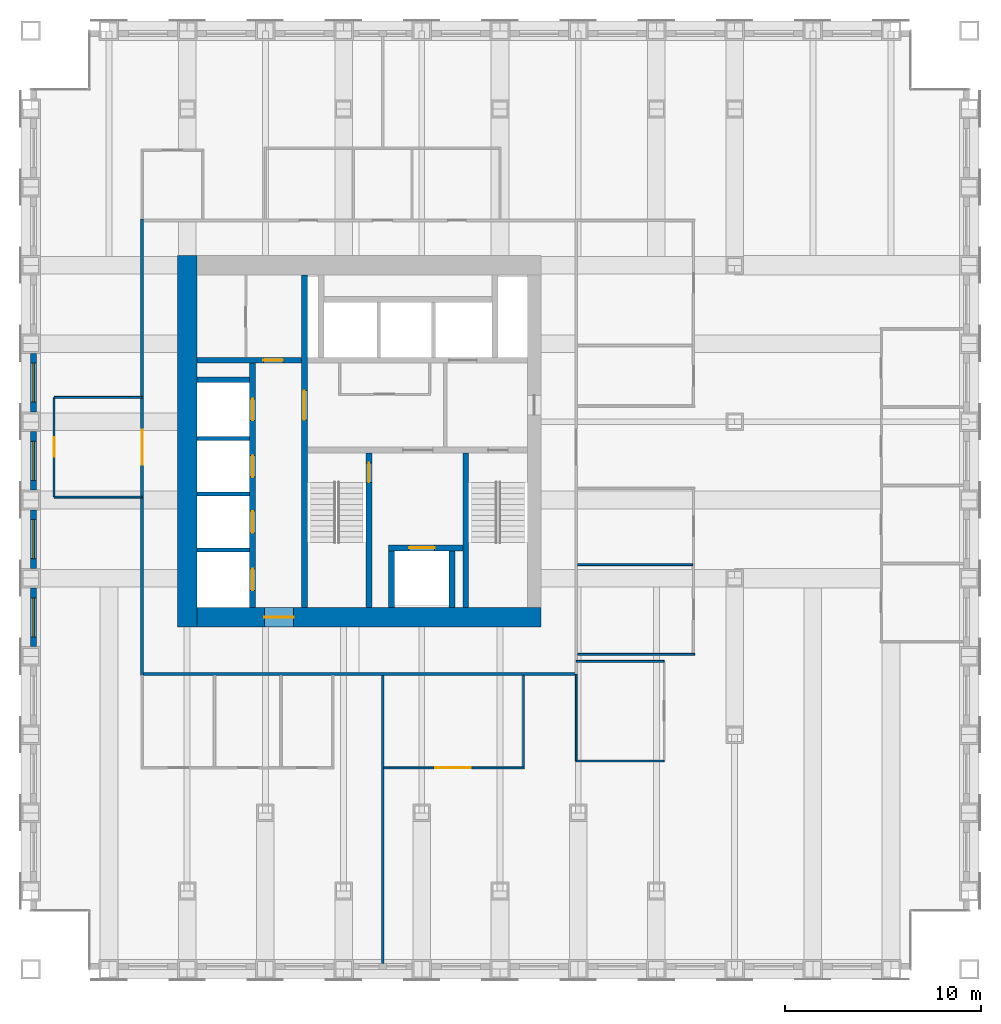
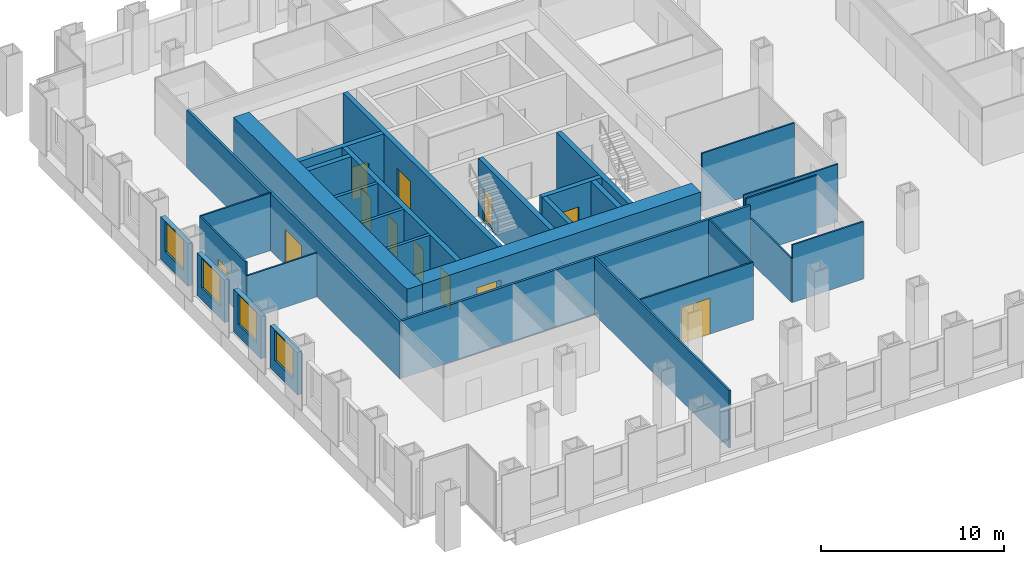
# One storey, part 11 of 16: 31 walls, 12 doors, 4 windows, 16 openings.
"""IFC4 building model written with IfcOpenShell, lengths in metres."""

from ifc_helpers import new_model, si_unit, direction, frame, frame_2d, origin, place, context, subcontext, project, spatial, rectangle, extrude, material, layer, layer_set, type_object, element, fill, save


model = new_model("IFC4")

# Units and contexts
model_context = context("Model", 3, precision=1e-05, world=origin(), true_north=direction((0.0, 1.0)))
body_context = subcontext(model_context, "Body", "Model", "MODEL_VIEW")
ifc_project = project(units=[si_unit("LENGTHUNIT", "METRE"), si_unit("AREAUNIT", "SQUARE_METRE"), si_unit("VOLUMEUNIT", "CUBIC_METRE"), si_unit("PLANEANGLEUNIT", "RADIAN"), si_unit("MASSUNIT", "GRAM", prefix="KILO")], contexts=[model_context])

# Site, building, storey
site_placement = place(None, origin())
site = spatial("IfcSite", under=ifc_project, at=site_placement, CompositionType="ELEMENT")
building_placement = place(site_placement, origin())
building = spatial("IfcBuilding", under=site, at=building_placement, Name="Rimbunsela Tower", CompositionType="ELEMENT")
storey_placement = place(building_placement, frame((0.0, 0.0, 85.39990234375)))
storey = spatial("IfcBuildingStorey", under=building, at=storey_placement, Name="L20", CompositionType="ELEMENT", Elevation=85.39990234375)

# Wall, opening, door
ifc_material_1 = material(Name="Concrete fc' 80 MPa", Category="concrete")
ifc_layer_1 = layer(ifc_material_1, 0.300048828125)
ifc_layer_set_1 = layer_set([ifc_layer_1], Name="Core internal wall 300")
wall_type_1 = type_object("IfcWallType", Name="Core internal wall 300", PredefinedType="SHEAR", material=ifc_layer_set_1)
wall_1_placement = place(storey_placement, frame((24.0, 18.5, -0.14990234375), z_axis=(0.0, 0.0, 1.0), x_axis=(0.0, 1.0, 0.0)))
wall_1 = element("IfcWall", 1, at=wall_1_placement, inside=storey, type_object=wall_type_1, Name="Core wall at stair A", PredefinedType="SHEAR", context=body_context, shape_type="SweptSolid", body=[
    extrude(rectangle(XDim=17.0, YDim=0.300048828125, at=frame_2d((8.5, 0.0))), origin(), (0.0, 0.0, 1.0), 4.0),
])
opening_1_placement = place(wall_1_placement, frame((9.60009765625, 0.0, 0.14990234375)))
opening_1 = element("IfcOpeningElement", 2, at=opening_1_placement, cuts=wall_1, Name="Opening D03", PredefinedType="OPENING", context=body_context, shape_type="SweptSolid", body=[
    extrude(rectangle(XDim=1.5, YDim=2.39990234375, at=frame_2d((0.75, 1.199951171875))), frame((0.0, 0.159912109375, 0.0), z_axis=(0.0, -1.0, 0.0), x_axis=(1.0, 0.0, 0.0)), (0.0, 0.0, 1.0), 0.320068359375),
])
ifc_material_2 = material(Name="Steel door, fire rated", Category="steel")
door_type_1 = type_object("IfcDoorType", Name="Core lobby door 1500", OperationType="DOUBLE_DOOR_DOUBLE_SWING", PredefinedType="DOOR", material=ifc_material_2)
door_1_placement = place(opening_1_placement, origin())
door_1 = element("IfcDoor", 3, at=door_1_placement, inside=storey, type_object=door_type_1, Name="West lobby door", OperationType="DOUBLE_DOOR_DOUBLE_SWING", OverallHeight=2.39990234375, OverallWidth=1.5, PredefinedType="DOOR", context=body_context, shape_type="SweptSolid", body=[
    extrude(rectangle(XDim=1.5, YDim=2.39990234375, at=frame_2d((0.75, 1.199951171875))), frame((0.0, 0.02490234375, 0.0), z_axis=(0.0, -1.0, 0.0), x_axis=(1.0, 0.0, 0.0)), (0.0, 0.0, 1.0), 0.050048828125),
])
fill(opening_1, door_1)

wall_2_placement = place(storey_placement, frame((27.300048828125, 18.5, -0.14990234375), z_axis=(0.0, 0.0, 1.0), x_axis=(0.0, 1.0, 0.0)))
wall_2 = element("IfcWall", 4, at=wall_2_placement, inside=storey, type_object=wall_type_1, Name="Stair A enclosure", PredefinedType="SHEAR", context=body_context, shape_type="SweptSolid", body=[
    extrude(rectangle(XDim=7.89990234375, YDim=0.300048828125, at=frame_2d((3.949951171875, 0.0))), origin(), (0.0, 0.0, 1.0), 4.0),
])
opening_2_placement = place(wall_2_placement, frame((6.39990234375, 0.0, 0.14990234375)))
opening_2 = element("IfcOpeningElement", 5, at=opening_2_placement, cuts=wall_2, Name="Opening D01", PredefinedType="OPENING", context=body_context, shape_type="SweptSolid", body=[
    extrude(rectangle(XDim=1.0, YDim=2.199951171875, at=frame_2d((0.5, 1.10009765625))), frame((0.0, 0.159912109375, 0.0), z_axis=(0.0, -1.0, 0.0), x_axis=(1.0, 0.0, 0.0)), (0.0, 0.0, 1.0), 0.320068359375),
])
ifc_material_3 = material(Name="Steel door, fire rated", Category="steel")
door_type_2 = type_object("IfcDoorType", Name="Stair door 1000", OperationType="SINGLE_SWING_RIGHT", PredefinedType="DOOR", material=ifc_material_3)
door_2_placement = place(opening_2_placement, origin())
door_2 = element("IfcDoor", 6, at=door_2_placement, inside=storey, type_object=door_type_2, Name="Stair A door", OperationType="SINGLE_SWING_RIGHT", OverallHeight=2.199951171875, OverallWidth=1.0, PredefinedType="DOOR", context=body_context, shape_type="SweptSolid", body=[
    extrude(rectangle(XDim=1.0, YDim=2.199951171875, at=frame_2d((0.5, 1.10009765625))), frame((0.0, 0.02490234375, 0.0), z_axis=(0.0, -1.0, 0.0), x_axis=(1.0, 0.0, 0.0)), (0.0, 0.0, 1.0), 0.050048828125),
])
fill(opening_2, door_2)

# Walls
wall_3_placement = place(storey_placement, frame((32.25, 18.5, -0.14990234375), z_axis=(0.0, 0.0, 1.0), x_axis=(0.0, 1.0, 0.0)))
element("IfcWall", 7, at=wall_3_placement, inside=storey, type_object=wall_type_1, Name="Stair B enclosure", PredefinedType="SHEAR", context=body_context, shape_type="SweptSolid", body=[
    extrude(rectangle(XDim=7.89990234375, YDim=0.300048828125, at=frame_2d((3.949951171875, 0.0))), origin(), (0.0, 0.0, 1.0), 4.0),
])
for number, where, z_axis, x_axis, name in (
    (8, (28.449951171875, 18.5, -0.14990234375), (0.0, 0.0, 1.0), (0.0, 1.0, 0.0), "Firefighting lift shaft west"),
    (9, (31.550048828125, 18.5, -0.14990234375), (0.0, 0.0, 1.0), (0.0, 1.0, 0.0), "Firefighting lift shaft east"),
):
    element("IfcWall", number, at=place(storey_placement, frame(where, z_axis=z_axis, x_axis=x_axis)), inside=storey, type_object=wall_type_1, Name=name, PredefinedType="SHEAR", context=body_context, shape_type="SweptSolid", body=[
        extrude(rectangle(XDim=2.89990234375, YDim=0.300048828125, at=frame_2d((1.449951171875, 0.0))), origin(), (0.0, 0.0, 1.0), 4.0),
    ])

# Wall, opening, door
wall_4_placement = place(storey_placement, frame((28.300048828125, 21.550048828125, -0.14990234375), z_axis=(0.0, 0.0, 1.0), x_axis=(1.0, 0.0, 0.0)))
wall_4 = element("IfcWall", 10, at=wall_4_placement, inside=storey, type_object=wall_type_1, Name="Firefighting lift shaft front", PredefinedType="SHEAR", context=body_context, shape_type="SweptSolid", body=[
    extrude(rectangle(XDim=3.800048828125, YDim=0.300048828125, at=frame_2d((1.89990234375, 0.0))), origin(), (0.0, 0.0, 1.0), 4.0),
])
opening_3_placement = place(wall_4_placement, frame((1.050048828125, 0.0, 0.14990234375)))
opening_3 = element("IfcOpeningElement", 11, at=opening_3_placement, cuts=wall_4, Name="Opening LD2", PredefinedType="OPENING", context=body_context, shape_type="SweptSolid", body=[
    extrude(rectangle(XDim=1.300048828125, YDim=2.39990234375, at=frame_2d((0.64990234375, 1.199951171875))), frame((0.0, 0.159912109375, 0.0), z_axis=(0.0, -1.0, 0.0), x_axis=(1.0, 0.0, 0.0)), (0.0, 0.0, 1.0), 0.320068359375),
])
ifc_material_4 = material(Name="Steel door, fire rated", Category="steel")
door_type_3 = type_object("IfcDoorType", Name="Lift landing door 1300", OperationType="DOUBLE_DOOR_SLIDING", PredefinedType="DOOR", material=ifc_material_4)
door_3_placement = place(opening_3_placement, origin())
door_3 = element("IfcDoor", 12, at=door_3_placement, inside=storey, type_object=door_type_3, Name="Lift landing door FL1", OperationType="DOUBLE_DOOR_SLIDING", OverallHeight=2.39990234375, OverallWidth=1.300048828125, PredefinedType="DOOR", context=body_context, shape_type="SweptSolid", body=[
    extrude(rectangle(XDim=1.300048828125, YDim=2.39990234375, at=frame_2d((0.64990234375, 1.199951171875))), frame((0.0, 0.02490234375, 0.0), z_axis=(0.0, -1.0, 0.0), x_axis=(1.0, 0.0, 0.0)), (0.0, 0.0, 1.0), 0.050048828125),
])
fill(opening_3, door_3)

# Wall, openings, doors
wall_5_placement = place(storey_placement, frame((21.35009765625, 18.5, -0.14990234375), z_axis=(0.0, 0.0, 1.0), x_axis=(0.0, 1.0, 0.0)))
wall_5 = element("IfcWall", 13, at=wall_5_placement, inside=storey, type_object=wall_type_1, Name="Lift shaft front west", PredefinedType="SHEAR", context=body_context, shape_type="SweptSolid", body=[
    extrude(rectangle(XDim=12.5, YDim=0.300048828125, at=frame_2d((6.25, 0.0))), origin(), (0.0, 0.0, 1.0), 4.0),
])
opening_4_placement = place(wall_5_placement, frame((0.875, 0.0, 0.14990234375)))
opening_4 = element("IfcOpeningElement", 14, at=opening_4_placement, cuts=wall_5, Name="Opening LD1", PredefinedType="OPENING", context=body_context, shape_type="SweptSolid", body=[
    extrude(rectangle(XDim=1.10009765625, YDim=2.199951171875, at=frame_2d((0.550048828125, 1.10009765625))), frame((0.0, 0.159912109375, 0.0), z_axis=(0.0, -1.0, 0.0), x_axis=(1.0, 0.0, 0.0)), (0.0, 0.0, 1.0), 0.320068359375),
])
opening_5_placement = place(wall_5_placement, frame((3.824951171875, 0.0, 0.14990234375)))
opening_5 = element("IfcOpeningElement", 15, at=opening_5_placement, cuts=wall_5, Name="Opening LD1", PredefinedType="OPENING", context=body_context, shape_type="SweptSolid", body=[
    extrude(rectangle(XDim=1.10009765625, YDim=2.199951171875, at=frame_2d((0.550048828125, 1.10009765625))), frame((0.0, 0.159912109375, 0.0), z_axis=(0.0, -1.0, 0.0), x_axis=(1.0, 0.0, 0.0)), (0.0, 0.0, 1.0), 0.320068359375),
])
opening_6_placement = place(wall_5_placement, frame((6.675048828125, 0.0, 0.14990234375)))
opening_6 = element("IfcOpeningElement", 16, at=opening_6_placement, cuts=wall_5, Name="Opening LD1", PredefinedType="OPENING", context=body_context, shape_type="SweptSolid", body=[
    extrude(rectangle(XDim=1.10009765625, YDim=2.199951171875, at=frame_2d((0.550048828125, 1.10009765625))), frame((0.0, 0.159912109375, 0.0), z_axis=(0.0, -1.0, 0.0), x_axis=(1.0, 0.0, 0.0)), (0.0, 0.0, 1.0), 0.320068359375),
])
opening_7_placement = place(wall_5_placement, frame((9.574951171875, 0.0, 0.14990234375)))
opening_7 = element("IfcOpeningElement", 17, at=opening_7_placement, cuts=wall_5, Name="Opening LD1", PredefinedType="OPENING", context=body_context, shape_type="SweptSolid", body=[
    extrude(rectangle(XDim=1.10009765625, YDim=2.199951171875, at=frame_2d((0.550048828125, 1.10009765625))), frame((0.0, 0.159912109375, 0.0), z_axis=(0.0, -1.0, 0.0), x_axis=(1.0, 0.0, 0.0)), (0.0, 0.0, 1.0), 0.320068359375),
])
ifc_material_5 = material(Name="Steel door, fire rated", Category="steel")
door_type_4 = type_object("IfcDoorType", Name="Lift landing door 1100", OperationType="DOUBLE_DOOR_SLIDING", PredefinedType="DOOR", material=ifc_material_5)
door_4_placement = place(opening_4_placement, origin())
door_4 = element("IfcDoor", 18, at=door_4_placement, inside=storey, type_object=door_type_4, Name="Lift landing door ML1", OperationType="DOUBLE_DOOR_SLIDING", OverallHeight=2.199951171875, OverallWidth=1.10009765625, PredefinedType="DOOR", context=body_context, shape_type="SweptSolid", body=[
    extrude(rectangle(XDim=1.10009765625, YDim=2.199951171875, at=frame_2d((0.550048828125, 1.10009765625))), frame((0.0, 0.02490234375, 0.0), z_axis=(0.0, -1.0, 0.0), x_axis=(1.0, 0.0, 0.0)), (0.0, 0.0, 1.0), 0.050048828125),
])
fill(opening_4, door_4)
door_5_placement = place(opening_5_placement, origin())
door_5 = element("IfcDoor", 19, at=door_5_placement, inside=storey, type_object=door_type_4, Name="Lift landing door ML2", OperationType="DOUBLE_DOOR_SLIDING", OverallHeight=2.199951171875, OverallWidth=1.10009765625, PredefinedType="DOOR", context=body_context, shape_type="SweptSolid", body=[
    extrude(rectangle(XDim=1.10009765625, YDim=2.199951171875, at=frame_2d((0.550048828125, 1.10009765625))), frame((0.0, 0.02490234375, 0.0), z_axis=(0.0, -1.0, 0.0), x_axis=(1.0, 0.0, 0.0)), (0.0, 0.0, 1.0), 0.050048828125),
])
fill(opening_5, door_5)
door_6_placement = place(opening_6_placement, origin())
door_6 = element("IfcDoor", 20, at=door_6_placement, inside=storey, type_object=door_type_4, Name="Lift landing door ML3", OperationType="DOUBLE_DOOR_SLIDING", OverallHeight=2.199951171875, OverallWidth=1.10009765625, PredefinedType="DOOR", context=body_context, shape_type="SweptSolid", body=[
    extrude(rectangle(XDim=1.10009765625, YDim=2.199951171875, at=frame_2d((0.550048828125, 1.10009765625))), frame((0.0, 0.02490234375, 0.0), z_axis=(0.0, -1.0, 0.0), x_axis=(1.0, 0.0, 0.0)), (0.0, 0.0, 1.0), 0.050048828125),
])
fill(opening_6, door_6)
door_7_placement = place(opening_7_placement, origin())
door_7 = element("IfcDoor", 21, at=door_7_placement, inside=storey, type_object=door_type_4, Name="Lift landing door ML4", OperationType="DOUBLE_DOOR_SLIDING", OverallHeight=2.199951171875, OverallWidth=1.10009765625, PredefinedType="DOOR", context=body_context, shape_type="SweptSolid", body=[
    extrude(rectangle(XDim=1.10009765625, YDim=2.199951171875, at=frame_2d((0.550048828125, 1.10009765625))), frame((0.0, 0.02490234375, 0.0), z_axis=(0.0, -1.0, 0.0), x_axis=(1.0, 0.0, 0.0)), (0.0, 0.0, 1.0), 0.050048828125),
])
fill(opening_7, door_7)

# Wall, opening, door
wall_6_placement = place(storey_placement, frame((18.5, 31.14990234375, -0.14990234375), z_axis=(0.0, 0.0, 1.0), x_axis=(1.0, 0.0, 0.0)))
wall_6 = element("IfcWall", 22, at=wall_6_placement, inside=storey, type_object=wall_type_1, Name="Store wall", PredefinedType="SHEAR", context=body_context, shape_type="SweptSolid", body=[
    extrude(rectangle(XDim=5.35009765625, YDim=0.300048828125, at=frame_2d((2.675048828125, 0.0))), origin(), (0.0, 0.0, 1.0), 4.0),
])
opening_8_placement = place(wall_6_placement, frame((3.39990234375, 0.0, 0.14990234375)))
opening_8 = element("IfcOpeningElement", 23, at=opening_8_placement, cuts=wall_6, Name="Opening D19", PredefinedType="OPENING", context=body_context, shape_type="SweptSolid", body=[
    extrude(rectangle(XDim=1.0, YDim=2.199951171875, at=frame_2d((0.5, 1.10009765625))), frame((0.0, 0.159912109375, 0.0), z_axis=(0.0, -1.0, 0.0), x_axis=(1.0, 0.0, 0.0)), (0.0, 0.0, 1.0), 0.320068359375),
])
ifc_material_6 = material(Name="Steel door, fire rated", Category="steel")
door_type_5 = type_object("IfcDoorType", Name="Service door 1000 fire rated", OperationType="SINGLE_SWING_LEFT", PredefinedType="DOOR", material=ifc_material_6)
door_8_placement = place(opening_8_placement, origin())
door_8 = element("IfcDoor", 24, at=door_8_placement, inside=storey, type_object=door_type_5, Name="Facilities store door", OperationType="SINGLE_SWING_LEFT", OverallHeight=2.199951171875, OverallWidth=1.0, PredefinedType="DOOR", context=body_context, shape_type="SweptSolid", body=[
    extrude(rectangle(XDim=1.0, YDim=2.199951171875, at=frame_2d((0.5, 1.10009765625))), frame((0.0, 0.02490234375, 0.0), z_axis=(0.0, -1.0, 0.0), x_axis=(1.0, 0.0, 0.0)), (0.0, 0.0, 1.0), 0.050048828125),
])
fill(opening_8, door_8)

# Walls
wall_7_placement = place(storey_placement, frame((18.5, 30.14990234375, -0.14990234375), z_axis=(0.0, 0.0, 1.0), x_axis=(1.0, 0.0, 0.0)))
element("IfcWall", 25, at=wall_7_placement, inside=storey, type_object=wall_type_1, Name="Lift shaft rear west", PredefinedType="SHEAR", context=body_context, shape_type="SweptSolid", body=[
    extrude(rectangle(XDim=2.699951171875, YDim=0.300048828125, at=frame_2d((1.35009765625, 0.0))), origin(), (0.0, 0.0, 1.0), 4.0),
])
ifc_material_7 = material(Name="Concrete fc' 80 MPa", Category="concrete")
ifc_layer_2 = layer(ifc_material_7, 1.0)
ifc_layer_set_2 = layer_set([ifc_layer_2], Name="Core wall 1000")
wall_type_2 = type_object("IfcWallType", Name="Core wall 1000", PredefinedType="SHEAR", material=ifc_layer_set_2)
wall_8_placement = place(storey_placement, frame((18.0, 17.5, -0.14990234375), z_axis=(0.0, 0.0, 1.0), x_axis=(0.0, 1.0, 0.0)))
element("IfcWall", 26, at=wall_8_placement, inside=storey, type_object=wall_type_2, Name="Core wall west", PredefinedType="SHEAR", context=body_context, shape_type="SweptSolid", body=[
    extrude(rectangle(XDim=19.0, YDim=1.0, at=frame_2d((9.5, 0.0))), origin(), (0.0, 0.0, 1.0), 4.0),
])

# Wall, opening, door
wall_9_placement = place(storey_placement, frame((18.5, 18.0, -0.14990234375), z_axis=(0.0, 0.0, 1.0), x_axis=(1.0, 0.0, 0.0)))
wall_9 = element("IfcWall", 27, at=wall_9_placement, inside=storey, type_object=wall_type_2, Name="Core wall south", PredefinedType="SHEAR", context=body_context, shape_type="SweptSolid", body=[
    extrude(rectangle(XDim=17.60009765625, YDim=1.0, at=frame_2d((8.800048828125, 0.0))), origin(), (0.0, 0.0, 1.0), 4.0),
])
opening_9_placement = place(wall_9_placement, frame((3.449951171875, 0.0, 0.14990234375)))
opening_9 = element("IfcOpeningElement", 28, at=opening_9_placement, cuts=wall_9, Name="Opening D03", PredefinedType="OPENING", context=body_context, shape_type="SweptSolid", body=[
    extrude(rectangle(XDim=1.5, YDim=2.39990234375, at=frame_2d((0.75, 1.199951171875))), frame((0.0, 0.510009765625, 0.0), z_axis=(0.0, -1.0, 0.0), x_axis=(1.0, 0.0, 0.0)), (0.0, 0.0, 1.0), 1.02001953125),
])
door_9_placement = place(opening_9_placement, origin())
door_9 = element("IfcDoor", 29, at=door_9_placement, inside=storey, type_object=door_type_1, Name="Core door south", OperationType="DOUBLE_DOOR_DOUBLE_SWING", OverallHeight=2.39990234375, OverallWidth=1.5, PredefinedType="DOOR", context=body_context, shape_type="SweptSolid", body=[
    extrude(rectangle(XDim=1.5, YDim=2.39990234375, at=frame_2d((0.75, 1.199951171875))), frame((0.0, 0.02490234375, 0.0), z_axis=(0.0, -1.0, 0.0), x_axis=(1.0, 0.0, 0.0)), (0.0, 0.0, 1.0), 0.050048828125),
])
fill(opening_9, door_9)

# Walls
ifc_material_8 = material(Name="Concrete blockwork", Category="masonry")
ifc_layer_3 = layer(ifc_material_8, 0.199951171875)
ifc_layer_set_3 = layer_set([ifc_layer_3], Name="Lift shaft wall 200")
wall_type_3 = type_object("IfcWallType", Name="Lift shaft wall 200", PredefinedType="SOLIDWALL", material=ifc_layer_set_3)
for number, where, z_axis, x_axis, name in (
    (30, (18.5, 21.449951171875, -0.14990234375), (0.0, 0.0, 1.0), (1.0, 0.0, 0.0), "Lift shaft separation"),
    (31, (18.5, 24.300048828125, -0.14990234375), (0.0, 0.0, 1.0), (1.0, 0.0, 0.0), "Lift shaft separation"),
    (32, (18.5, 27.14990234375, -0.14990234375), (0.0, 0.0, 1.0), (1.0, 0.0, 0.0), "Lift shaft separation"),
):
    element("IfcWall", number, at=place(storey_placement, frame(where, z_axis=z_axis, x_axis=x_axis)), inside=storey, type_object=wall_type_3, Name=name, PredefinedType="SOLIDWALL", context=body_context, shape_type="SweptSolid", body=[
        extrude(rectangle(XDim=2.699951171875, YDim=0.199951171875, at=frame_2d((1.35009765625, 0.0))), origin(), (0.0, 0.0, 1.0), 4.0),
    ])

# Wall, opening, door
ifc_material_9 = material(Name="Gypsum board on steel studs", Category="steel")
ifc_layer_4 = layer(ifc_material_9, 0.10009765625)
ifc_layer_set_4 = layer_set([ifc_layer_4], Name="Office partition 100")
wall_type_4 = type_object("IfcWallType", Name="Office partition 100", PredefinedType="PARTITIONING", material=ifc_layer_set_4)
wall_10_placement = place(storey_placement, frame((28.06103515625, 10.300048828125, 0.0), z_axis=(0.0, 0.0, 1.0), x_axis=(1.0, 0.0, 0.0)))
wall_10 = element("IfcWall", 33, at=wall_10_placement, inside=storey, type_object=wall_type_4, Name="Office partition", PredefinedType="PARTITIONING", context=body_context, shape_type="SweptSolid", body=[
    extrude(rectangle(XDim=7.18994140625, YDim=0.10009765625, at=frame_2d((3.594970703125, 0.0))), origin(), (0.0, 0.0, 1.0), 3.85009765625),
])
opening_10_placement = place(wall_10_placement, frame((2.639892578125, 0.0, 0.0)))
opening_10 = element("IfcOpeningElement", 34, at=opening_10_placement, cuts=wall_10, Name="Opening D18", PredefinedType="OPENING", context=body_context, shape_type="SweptSolid", body=[
    extrude(rectangle(XDim=1.800048828125, YDim=2.39990234375, at=frame_2d((0.89990234375, 1.199951171875))), frame((0.0, 0.06005859375, 0.0), z_axis=(0.0, -1.0, 0.0), x_axis=(1.0, 0.0, 0.0)), (0.0, 0.0, 1.0), 0.1201171875),
])
ifc_material_10 = material(Name="Glazed aluminium door", Category="aluminium")
door_type_6 = type_object("IfcDoorType", Name="Boardroom door 1800 glazed", OperationType="DOUBLE_DOOR_DOUBLE_SWING", PredefinedType="DOOR", material=ifc_material_10)
door_10_placement = place(opening_10_placement, origin())
door_10 = element("IfcDoor", 35, at=door_10_placement, inside=storey, type_object=door_type_6, Name="Boardroom door", OperationType="DOUBLE_DOOR_DOUBLE_SWING", OverallHeight=2.39990234375, OverallWidth=1.800048828125, PredefinedType="DOOR", context=body_context, shape_type="SweptSolid", body=[
    extrude(rectangle(XDim=1.800048828125, YDim=2.39990234375, at=frame_2d((0.89990234375, 1.199951171875))), frame((0.0, 0.02490234375, 0.0), z_axis=(0.0, -1.0, 0.0), x_axis=(1.0, 0.0, 0.0)), (0.0, 0.0, 1.0), 0.050048828125),
])
fill(opening_10, door_10)

# Walls
wall_11_placement = place(storey_placement, frame((37.97509765625, 16.10009765625, 0.0), z_axis=(0.0, 0.0, 1.0), x_axis=(1.0, 0.0, 0.0)))
element("IfcWall", 36, at=wall_11_placement, inside=storey, type_object=wall_type_4, Name="Office partition", PredefinedType="PARTITIONING", context=body_context, shape_type="SweptSolid", body=[
    extrude(rectangle(XDim=5.974853515625, YDim=0.10009765625, at=frame_2d((2.9873046875, 0.0))), origin(), (0.0, 0.0, 1.0), 3.85009765625),
])
wall_12_placement = place(storey_placement, frame((37.97509765625, 20.699951171875, 0.0), z_axis=(0.0, 0.0, 1.0), x_axis=(1.0, 0.0, 0.0)))
element("IfcWall", 37, at=wall_12_placement, inside=storey, type_object=wall_type_4, Name="Office partition", PredefinedType="PARTITIONING", context=body_context, shape_type="SweptSolid", body=[
    extrude(rectangle(XDim=5.875, YDim=0.10009765625, at=frame_2d((2.9375, 0.0))), origin(), (0.0, 0.0, 1.0), 3.85009765625),
])
wall_13_placement = place(storey_placement, frame((35.200927734375, 10.35009765625, 0.0), z_axis=(0.0, 0.0, 1.0), x_axis=(0.0, 1.0, 0.0)))
element("IfcWall", 38, at=wall_13_placement, inside=storey, type_object=wall_type_4, Name="Office partition", PredefinedType="PARTITIONING", context=body_context, shape_type="SweptSolid", body=[
    extrude(rectangle(XDim=4.6748046875, YDim=0.10009765625, at=frame_2d((2.33740234375, 0.0))), origin(), (0.0, 0.0, 1.0), 3.85009765625),
])
wall_14_placement = place(storey_placement, frame((15.699951171875, 29.25, 0.0), z_axis=(0.0, 0.0, 1.0), x_axis=(-1.0, 0.0, 0.0)))
element("IfcWall", 39, at=wall_14_placement, inside=storey, type_object=wall_type_4, Name="Office partition", PredefinedType="PARTITIONING", context=body_context, shape_type="SweptSolid", body=[
    extrude(rectangle(XDim=4.5, YDim=0.10009765625, at=frame_2d((2.25, 0.0))), origin(), (0.0, 0.0, 1.0), 3.85009765625),
])

# Wall, opening, door
wall_15_placement = place(storey_placement, frame((11.199951171875, 29.25, 0.0), z_axis=(0.0, 0.0, 1.0), x_axis=(0.0, -1.0, 0.0)))
wall_15 = element("IfcWall", 40, at=wall_15_placement, inside=storey, type_object=wall_type_4, Name="Office partition", PredefinedType="PARTITIONING", context=body_context, shape_type="SweptSolid", body=[
    extrude(rectangle(XDim=5.10009765625, YDim=0.10009765625, at=frame_2d((2.550048828125, 0.0))), origin(), (0.0, 0.0, 1.0), 3.85009765625),
])
opening_11_placement = place(wall_15_placement, frame((2.050048828125, 0.0, 0.0)))
opening_11 = element("IfcOpeningElement", 41, at=opening_11_placement, cuts=wall_15, Name="Opening D17", PredefinedType="OPENING", context=body_context, shape_type="SweptSolid", body=[
    extrude(rectangle(XDim=1.0, YDim=2.199951171875, at=frame_2d((0.5, 1.10009765625))), frame((0.0, 0.06005859375, 0.0), z_axis=(0.0, -1.0, 0.0), x_axis=(1.0, 0.0, 0.0)), (0.0, 0.0, 1.0), 0.1201171875),
])
ifc_material_11 = material(Name="Glazed aluminium door", Category="aluminium")
door_type_7 = type_object("IfcDoorType", Name="Meeting room door 1000 glazed", OperationType="SINGLE_SWING_RIGHT", PredefinedType="DOOR", material=ifc_material_11)
door_11_placement = place(opening_11_placement, origin())
door_11 = element("IfcDoor", 42, at=door_11_placement, inside=storey, type_object=door_type_7, Name="Reception door", OperationType="SINGLE_SWING_RIGHT", OverallHeight=2.199951171875, OverallWidth=1.0, PredefinedType="DOOR", context=body_context, shape_type="SweptSolid", body=[
    extrude(rectangle(XDim=1.0, YDim=2.199951171875, at=frame_2d((0.5, 1.10009765625))), frame((0.0, 0.02490234375, 0.0), z_axis=(0.0, -1.0, 0.0), x_axis=(1.0, 0.0, 0.0)), (0.0, 0.0, 1.0), 0.050048828125),
])
fill(opening_11, door_11)

# Walls
wall_16_placement = place(storey_placement, frame((11.199951171875, 24.14990234375, 0.0), z_axis=(0.0, 0.0, 1.0), x_axis=(1.0, 0.0, 0.0)))
element("IfcWall", 43, at=wall_16_placement, inside=storey, type_object=wall_type_4, Name="Office partition", PredefinedType="PARTITIONING", context=body_context, shape_type="SweptSolid", body=[
    extrude(rectangle(XDim=4.5, YDim=0.10009765625, at=frame_2d((2.25, 0.0))), origin(), (0.0, 0.0, 1.0), 2.9501953125),
])
wall_17_placement = place(storey_placement, frame((37.89990234375, 15.10009765625, 0.0), z_axis=(0.0, 0.0, 1.0), x_axis=(0.0, -1.0, 0.0)))
element("IfcWall", 44, at=wall_17_placement, inside=storey, type_object=wall_type_4, Name="Office partition", PredefinedType="PARTITIONING", context=body_context, shape_type="SweptSolid", body=[
    extrude(rectangle(XDim=4.4501953125, YDim=0.10009765625, at=frame_2d((2.22509765625, 0.0))), origin(), (0.0, 0.0, 1.0), 2.9501953125),
])
for number, where, z_axis, x_axis, name in (
    (45, (37.89990234375, 10.64990234375, 0.0), (0.0, 0.0, 1.0), (1.0, 0.0, 0.0), "Office partition"),
    (46, (42.39990234375, 15.75, 0.0), (0.0, 0.0, 1.0), (-1.0, 0.0, 0.0), "Office partition"),
):
    element("IfcWall", number, at=place(storey_placement, frame(where, z_axis=z_axis, x_axis=x_axis)), inside=storey, type_object=wall_type_4, Name=name, PredefinedType="PARTITIONING", context=body_context, shape_type="SweptSolid", body=[
        extrude(rectangle(XDim=4.5, YDim=0.10009765625, at=frame_2d((2.25, 0.0))), origin(), (0.0, 0.0, 1.0), 3.85009765625),
    ])

# Wall, opening, window
ifc_material_12 = material(Name="Precast concrete fc' 35 MPa", Category="concrete")
ifc_layer_5 = layer(ifc_material_12, 0.300048828125)
ifc_layer_set_5 = layer_set([ifc_layer_5], Name="Precast concrete fc' 35 MPa")
wall_type_5 = type_object("IfcWallType", Name="Precast facade panel 300", PredefinedType="ELEMENTEDWALL", material=ifc_layer_set_5)
wall_18_placement = place(storey_placement, frame((10.14990234375, 19.5, 0.0), z_axis=(0.0, 0.0, 1.0), x_axis=(0.0, -1.0, 0.0)))
wall_18 = element("IfcWall", 47, at=wall_18_placement, inside=storey, type_object=wall_type_5, Name="Facade panel W L20", PredefinedType="ELEMENTEDWALL", context=body_context, shape_type="SweptSolid", body=[
    extrude(rectangle(XDim=3.0, YDim=0.300048828125, at=frame_2d((1.5, 0.0))), origin(), (0.0, 0.0, 1.0), 2.85009765625),
])
opening_12_placement = place(wall_18_placement, frame((0.5, 0.0, 0.800048828125)))
opening_12 = element("IfcOpeningElement", 48, at=opening_12_placement, cuts=wall_18, Name="Opening W1", PredefinedType="OPENING", context=body_context, shape_type="SweptSolid", body=[
    extrude(rectangle(XDim=2.0, YDim=2.0, at=frame_2d((1.0, 1.0))), frame((0.0, 0.159912109375, 0.0), z_axis=(0.0, -1.0, 0.0), x_axis=(1.0, 0.0, 0.0)), (0.0, 0.0, 1.0), 0.320068359375),
])
ifc_material_13 = material(Name="Clear glass in aluminium frame", Category="aluminium")
window_type = type_object("IfcWindowType", Name="Window W1 2000x2000", PartitioningType="DOUBLE_PANEL_VERTICAL", PredefinedType="WINDOW", material=ifc_material_13)
window_1_placement = place(opening_12_placement, origin())
window_1 = element("IfcWindow", 49, at=window_1_placement, inside=storey, type_object=window_type, Name="Window L20", OverallHeight=2.0, OverallWidth=2.0, PartitioningType="SINGLE_PANEL", PredefinedType="WINDOW", context=body_context, shape_type="SweptSolid", body=[
    extrude(rectangle(XDim=2.0, YDim=2.0, at=frame_2d((1.0, 1.0))), frame((0.0, 0.030029296875, 0.0), z_axis=(0.0, -1.0, 0.0), x_axis=(1.0, 0.0, 0.0)), (0.0, 0.0, 1.0), 0.06005859375),
])
fill(opening_12, window_1)

wall_19_placement = place(storey_placement, frame((10.14990234375, 23.5, 0.0), z_axis=(0.0, 0.0, 1.0), x_axis=(0.0, -1.0, 0.0)))
wall_19 = element("IfcWall", 50, at=wall_19_placement, inside=storey, type_object=wall_type_5, Name="Facade panel W L20", PredefinedType="ELEMENTEDWALL", context=body_context, shape_type="SweptSolid", body=[
    extrude(rectangle(XDim=3.0, YDim=0.300048828125, at=frame_2d((1.5, 0.0))), origin(), (0.0, 0.0, 1.0), 2.85009765625),
])
opening_13_placement = place(wall_19_placement, frame((0.5, 0.0, 0.800048828125)))
opening_13 = element("IfcOpeningElement", 51, at=opening_13_placement, cuts=wall_19, Name="Opening W1", PredefinedType="OPENING", context=body_context, shape_type="SweptSolid", body=[
    extrude(rectangle(XDim=2.0, YDim=2.0, at=frame_2d((1.0, 1.0))), frame((0.0, 0.159912109375, 0.0), z_axis=(0.0, -1.0, 0.0), x_axis=(1.0, 0.0, 0.0)), (0.0, 0.0, 1.0), 0.320068359375),
])
window_2_placement = place(opening_13_placement, origin())
window_2 = element("IfcWindow", 52, at=window_2_placement, inside=storey, type_object=window_type, Name="Window L20", OverallHeight=2.0, OverallWidth=2.0, PartitioningType="SINGLE_PANEL", PredefinedType="WINDOW", context=body_context, shape_type="SweptSolid", body=[
    extrude(rectangle(XDim=2.0, YDim=2.0, at=frame_2d((1.0, 1.0))), frame((0.0, 0.030029296875, 0.0), z_axis=(0.0, -1.0, 0.0), x_axis=(1.0, 0.0, 0.0)), (0.0, 0.0, 1.0), 0.06005859375),
])
fill(opening_13, window_2)

wall_20_placement = place(storey_placement, frame((10.14990234375, 27.5, 0.0), z_axis=(0.0, 0.0, 1.0), x_axis=(0.0, -1.0, 0.0)))
wall_20 = element("IfcWall", 53, at=wall_20_placement, inside=storey, type_object=wall_type_5, Name="Facade panel W L20", PredefinedType="ELEMENTEDWALL", context=body_context, shape_type="SweptSolid", body=[
    extrude(rectangle(XDim=3.0, YDim=0.300048828125, at=frame_2d((1.5, 0.0))), origin(), (0.0, 0.0, 1.0), 2.85009765625),
])
opening_14_placement = place(wall_20_placement, frame((0.5, 0.0, 0.800048828125)))
opening_14 = element("IfcOpeningElement", 54, at=opening_14_placement, cuts=wall_20, Name="Opening W1", PredefinedType="OPENING", context=body_context, shape_type="SweptSolid", body=[
    extrude(rectangle(XDim=2.0, YDim=2.0, at=frame_2d((1.0, 1.0))), frame((0.0, 0.159912109375, 0.0), z_axis=(0.0, -1.0, 0.0), x_axis=(1.0, 0.0, 0.0)), (0.0, 0.0, 1.0), 0.320068359375),
])
window_3_placement = place(opening_14_placement, origin())
window_3 = element("IfcWindow", 55, at=window_3_placement, inside=storey, type_object=window_type, Name="Window L20", OverallHeight=2.0, OverallWidth=2.0, PartitioningType="SINGLE_PANEL", PredefinedType="WINDOW", context=body_context, shape_type="SweptSolid", body=[
    extrude(rectangle(XDim=2.0, YDim=2.0, at=frame_2d((1.0, 1.0))), frame((0.0, 0.030029296875, 0.0), z_axis=(0.0, -1.0, 0.0), x_axis=(1.0, 0.0, 0.0)), (0.0, 0.0, 1.0), 0.06005859375),
])
fill(opening_14, window_3)

wall_21_placement = place(storey_placement, frame((10.14990234375, 31.5, 0.0), z_axis=(0.0, 0.0, 1.0), x_axis=(0.0, -1.0, 0.0)))
wall_21 = element("IfcWall", 56, at=wall_21_placement, inside=storey, type_object=wall_type_5, Name="Facade panel W L20", PredefinedType="ELEMENTEDWALL", context=body_context, shape_type="SweptSolid", body=[
    extrude(rectangle(XDim=3.0, YDim=0.300048828125, at=frame_2d((1.5, 0.0))), origin(), (0.0, 0.0, 1.0), 2.85009765625),
])
opening_15_placement = place(wall_21_placement, frame((0.5, 0.0, 0.800048828125)))
opening_15 = element("IfcOpeningElement", 57, at=opening_15_placement, cuts=wall_21, Name="Opening W1", PredefinedType="OPENING", context=body_context, shape_type="SweptSolid", body=[
    extrude(rectangle(XDim=2.0, YDim=2.0, at=frame_2d((1.0, 1.0))), frame((0.0, 0.159912109375, 0.0), z_axis=(0.0, -1.0, 0.0), x_axis=(1.0, 0.0, 0.0)), (0.0, 0.0, 1.0), 0.320068359375),
])
window_4_placement = place(opening_15_placement, origin())
window_4 = element("IfcWindow", 58, at=window_4_placement, inside=storey, type_object=window_type, Name="Window L20", OverallHeight=2.0, OverallWidth=2.0, PartitioningType="SINGLE_PANEL", PredefinedType="WINDOW", context=body_context, shape_type="SweptSolid", body=[
    extrude(rectangle(XDim=2.0, YDim=2.0, at=frame_2d((1.0, 1.0))), frame((0.0, 0.030029296875, 0.0), z_axis=(0.0, -1.0, 0.0), x_axis=(1.0, 0.0, 0.0)), (0.0, 0.0, 1.0), 0.06005859375),
])
fill(opening_15, window_4)

# Wall, opening, door
ifc_material_14 = material(Name="Fire-rated gypsum board on steel studs, EI 60", Category="steel")
ifc_layer_6 = layer(ifc_material_14, 0.14990234375)
ifc_layer_set_6 = layer_set([ifc_layer_6], Name="Rated corridor wall 150")
wall_type_6 = type_object("IfcWallType", Name="Rated corridor wall 150", PredefinedType="PARTITIONING", material=ifc_layer_set_6)
wall_22_placement = place(storey_placement, frame((15.699951171875, 15.02490234375, 0.0), z_axis=(0.0, 0.0, 1.0), x_axis=(0.0, 1.0, 0.0)))
wall_22 = element("IfcWall", 59, at=wall_22_placement, inside=storey, type_object=wall_type_6, Name="Corridor wall west", PredefinedType="PARTITIONING", context=body_context, shape_type="SweptSolid", body=[
    extrude(rectangle(XDim=23.35009765625, YDim=0.14990234375, at=frame_2d((11.675048828125, 0.0))), origin(), (0.0, 0.0, 1.0), 3.85009765625),
])
opening_16_placement = place(wall_22_placement, frame((10.77490234375, 0.0, 0.0)))
opening_16 = element("IfcOpeningElement", 60, at=opening_16_placement, cuts=wall_22, Name="Opening D09", PredefinedType="OPENING", context=body_context, shape_type="SweptSolid", body=[
    extrude(rectangle(XDim=1.800048828125, YDim=2.39990234375, at=frame_2d((0.89990234375, 1.199951171875))), frame((0.0, 0.0849609375, 0.0), z_axis=(0.0, -1.0, 0.0), x_axis=(1.0, 0.0, 0.0)), (0.0, 0.0, 1.0), 0.169921875),
])
ifc_material_15 = material(Name="Glazed aluminium door, fire rated", Category="aluminium")
door_type_8 = type_object("IfcDoorType", Name="Tenancy door 1800 glazed", OperationType="DOUBLE_DOOR_DOUBLE_SWING", PredefinedType="DOOR", material=ifc_material_15)
door_12_placement = place(opening_16_placement, origin())
door_12 = element("IfcDoor", 61, at=door_12_placement, inside=storey, type_object=door_type_8, Name="Tenancy door", OperationType="DOUBLE_DOOR_DOUBLE_SWING", OverallHeight=2.39990234375, OverallWidth=1.800048828125, PredefinedType="DOOR", context=body_context, shape_type="SweptSolid", body=[
    extrude(rectangle(XDim=1.800048828125, YDim=2.39990234375, at=frame_2d((0.89990234375, 1.199951171875))), frame((0.0, 0.02490234375, 0.0), z_axis=(0.0, -1.0, 0.0), x_axis=(1.0, 0.0, 0.0)), (0.0, 0.0, 1.0), 0.050048828125),
])
fill(opening_16, door_12)

# Walls
wall_23_placement = place(storey_placement, frame((15.77490234375, 15.10009765625, 0.0), z_axis=(0.0, 0.0, 1.0), x_axis=(1.0, 0.0, 0.0)))
element("IfcWall", 62, at=wall_23_placement, inside=storey, type_object=wall_type_6, Name="Corridor wall south", PredefinedType="PARTITIONING", context=body_context, shape_type="SweptSolid", body=[
    extrude(rectangle(XDim=22.050048828125, YDim=0.14990234375, at=frame_2d((11.02490234375, 0.0))), origin(), (0.0, 0.0, 1.0), 3.85009765625),
])
ifc_material_16 = material(Name="Gypsum board on steel studs", Category="steel")
ifc_layer_7 = layer(ifc_material_16, 0.1201171875)
ifc_layer_set_7 = layer_set([ifc_layer_7], Name="Tenancy partition 120")
wall_type_7 = type_object("IfcWallType", Name="Tenancy partition 120", PredefinedType="PARTITIONING", material=ifc_layer_set_7)
wall_24_placement = place(storey_placement, frame((28.0, 0.300048828125, 0.0), z_axis=(0.0, 0.0, 1.0), x_axis=(0.0, 1.0, 0.0)))
element("IfcWall", 63, at=wall_24_placement, inside=storey, type_object=wall_type_7, Name="Tenancy partition south", PredefinedType="PARTITIONING", context=body_context, shape_type="SweptSolid", body=[
    extrude(rectangle(XDim=14.724853515625, YDim=0.1201171875, at=frame_2d((7.3623046875, 0.0))), origin(), (0.0, 0.0, 1.0), 3.85009765625),
])

save(model, "model.ifc")
